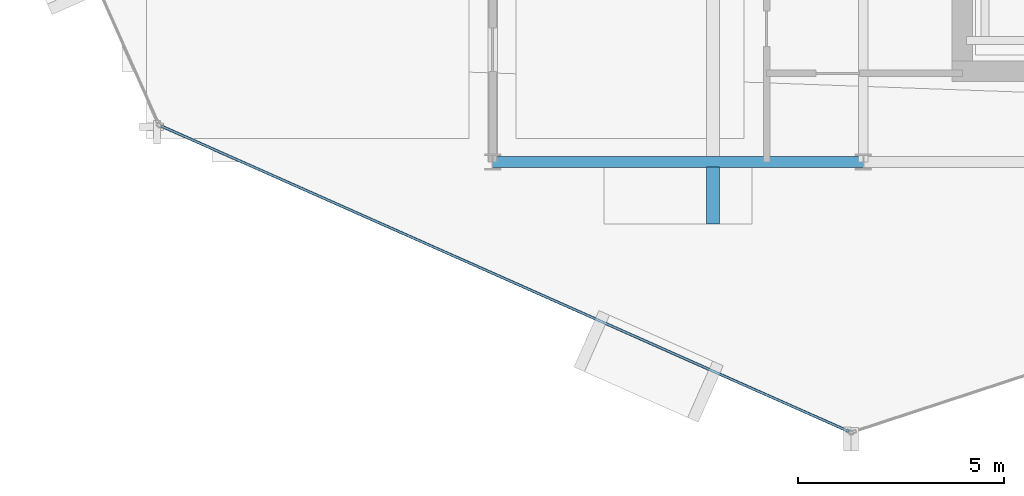
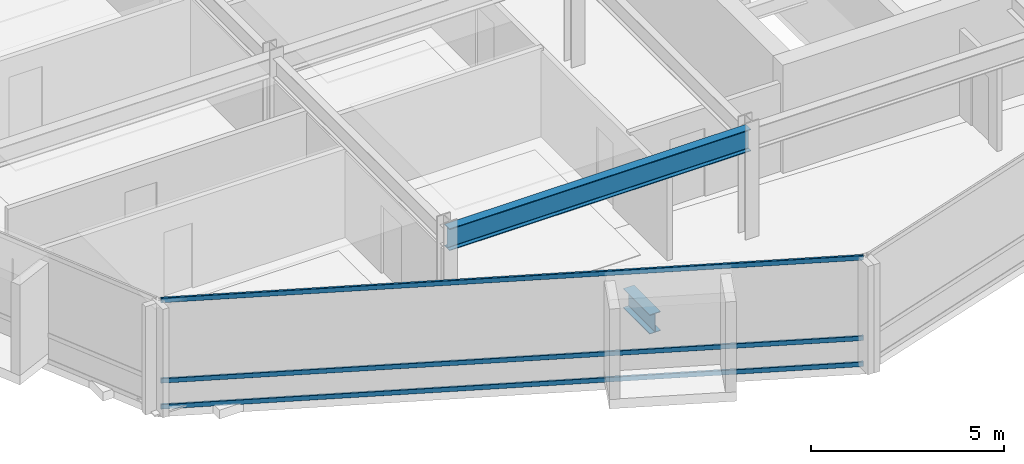
# One storey, part 3 of 28: 3 members, 2 beams, 1 element without a shape of its own.
"""IFC4 building model written with IfcOpenShell, lengths in metres."""

from ifc_helpers import new_model, si_unit, direction, frame, origin, origin_2d, place, context, subcontext, project, spatial, hollow_rectangle, i_section, extrude, material, layer, layer_set, material_profile, profile_set, type_object, element, aggregate, save


model = new_model("IFC4")

# Units and contexts
model_context = context("Model", 3, precision=1e-05, world=origin(), true_north=direction((0.0, 1.0)))
body_context = subcontext(model_context, "Body", "Model", "MODEL_VIEW")
ifc_project = project(units=[si_unit("LENGTHUNIT", "METRE"), si_unit("AREAUNIT", "SQUARE_METRE"), si_unit("VOLUMEUNIT", "CUBIC_METRE"), si_unit("PLANEANGLEUNIT", "RADIAN"), si_unit("MASSUNIT", "GRAM", prefix="KILO")], contexts=[model_context])

# Site, building, storey
site_placement = place(None, origin())
site = spatial("IfcSite", under=ifc_project, at=site_placement, CompositionType="ELEMENT")
building_placement = place(site_placement, origin())
building = spatial("IfcBuilding", under=site, at=building_placement, Name="Solvaryn Broadcast Tower", CompositionType="ELEMENT")
storey_placement = place(building_placement, frame((0.0, 0.0, 217.300048828125)))
storey = spatial("IfcBuildingStorey", under=building, at=storey_placement, Name="L54", CompositionType="ELEMENT", Elevation=217.300048828125)

# Beams
ifc_material_1 = material(Name="Steel ASTM A992 Grade 50", Category="steel")
ifc_material_profile_1 = material_profile(ifc_material_1, i_section(OverallWidth=0.323974609375, OverallDepth=0.611083984375, WebThickness=0.0126953125, FlangeThickness=0.01904296875, FilletRadius=0.014892578125, at=origin_2d()))
ifc_profile_set_1 = profile_set([ifc_material_profile_1], Name="Steel ASTM A992 Grade 50")
beam_type_1 = type_object("IfcBeamType", Name="BM-CANT-TER", PredefinedType="BEAM", material=ifc_profile_set_1)
beam_1_placement = place(storey_placement, frame((23.35009765625, 8.875, -0.58544921875), z_axis=(0.0, -1.0, 0.0), x_axis=(1.0, 0.0, 0.0)))
element("IfcBeam", 1, at=beam_1_placement, inside=storey, type_object=beam_type_1, Name="L54 Bay-Box Cantilever Bracket 1", PredefinedType="BEAM", context=body_context, shape_type="SweptSolid", body=[
    extrude(i_section(OverallWidth=0.323974609375, OverallDepth=0.611083984375, WebThickness=0.0126953125, FlangeThickness=0.01904296875, FilletRadius=0.014892578125, at=origin_2d()), origin(), (0.0, 0.0, 1.0), 1.375),
])
ifc_material_2 = material(Name="Steel ASTM A992 Grade 50", Category="steel")
ifc_material_profile_2 = material_profile(ifc_material_2, i_section(OverallWidth=0.256103515625, OverallDepth=0.693115234375, WebThickness=0.014404296875, FlangeThickness=0.023681640625, FilletRadius=0.01611328125, at=origin_2d()))
ifc_profile_set_2 = profile_set([ifc_material_profile_2], Name="Steel ASTM A992 Grade 50")
beam_type_2 = type_object("IfcBeamType", Name="BM-SP3-W27X114", PredefinedType="USERDEFINED", material=ifc_profile_set_2)
beam_2_placement = place(storey_placement, frame((18.0, 9.0, 3.073486328125), z_axis=(1.0, 0.0, 0.0), x_axis=(0.0, 1.0, 0.0)))
element("IfcBeam", 2, at=beam_2_placement, inside=storey, type_object=beam_type_2, Name="L54 Spandrel Beam X (18-27 @ Y=9)", ObjectType="SPANDREL", PredefinedType="USERDEFINED", context=body_context, shape_type="SweptSolid", body=[
    extrude(i_section(OverallWidth=0.256103515625, OverallDepth=0.693115234375, WebThickness=0.014404296875, FlangeThickness=0.023681640625, FilletRadius=0.01611328125, at=origin_2d()), origin(), (0.0, 0.0, 1.0), 9.0),
])

# Curtain wall, members
ifc_material_3 = material(Name="Aluminium and Terracotta Unitised Curtain Wall", Category="masonry")
ifc_layer = layer(ifc_material_3, 0.199951171875)
ifc_layer_set = layer_set([ifc_layer], Name="CW-SYS2-LOWMID")
curtain_wall_type = type_object("IfcCurtainWallType", Name="CW-SYS2-LOWMID", PredefinedType="NOTDEFINED", material=ifc_layer_set)
curtain_wall_placement = place(storey_placement, origin())
curtain_wall = element("IfcCurtainWall", 3, at=curtain_wall_placement, inside=storey, type_object=curtain_wall_type, Name="L54 Curtain Wall DR3", PredefinedType="NOTDEFINED")
ifc_material_4 = material(Name="Anodised Aluminium 6063-T6", Category="aluminium")
ifc_material_profile_3 = material_profile(ifc_material_4, hollow_rectangle(XDim=0.06494140625, YDim=0.14990234375, WallThickness=0.00390625, InnerFilletRadius=0.00390625, OuterFilletRadius=0.008056640625, at=origin_2d()))
ifc_profile_set_3 = profile_set([ifc_material_profile_3], Name="Anodised Aluminium 6063-T6")
member_type = type_object("IfcMemberType", Name="CW-TRN-150", PredefinedType="USERDEFINED", material=ifc_profile_set_3)
member_1_placement = place(storey_placement, frame((9.952880859375, 9.87353515625, 0.030029296875), z_axis=(0.913916761992, -0.405901653299, 0.0), x_axis=(0.405901653299, 0.913916761992, 0.0)))
member_1 = element("IfcMember", 4, at=member_1_placement, type_object=member_type, Name="CWS2 transom 1.1", ObjectType="TRANSOM", PredefinedType="USERDEFINED", context=body_context, shape_type="SweptSolid", body=[
    extrude(hollow_rectangle(XDim=0.06494140625, YDim=0.14990234375, WallThickness=0.00390625, InnerFilletRadius=0.00390625, OuterFilletRadius=0.008056640625, at=origin_2d()), origin(), (0.0, 0.0, 1.0), 18.27099609375),
])
member_2_placement = place(storey_placement, frame((9.952880859375, 9.87353515625, 0.849853515625), z_axis=(0.913916761992, -0.405901653299, 0.0), x_axis=(0.405901653299, 0.913916761992, 0.0)))
member_2 = element("IfcMember", 5, at=member_2_placement, type_object=member_type, Name="CWS2 transom 1.2", ObjectType="TRANSOM", PredefinedType="USERDEFINED", context=body_context, shape_type="SweptSolid", body=[
    extrude(hollow_rectangle(XDim=0.06494140625, YDim=0.14990234375, WallThickness=0.00390625, InnerFilletRadius=0.00390625, OuterFilletRadius=0.008056640625, at=origin_2d()), origin(), (0.0, 0.0, 1.0), 18.27099609375),
])
member_3_placement = place(storey_placement, frame((9.952880859375, 9.87353515625, 3.389892578125), z_axis=(0.913916761992, -0.405901653299, 0.0), x_axis=(0.405901653299, 0.913916761992, 0.0)))
member_3 = element("IfcMember", 6, at=member_3_placement, type_object=member_type, Name="CWS2 transom 1.3", ObjectType="TRANSOM", PredefinedType="USERDEFINED", context=body_context, shape_type="SweptSolid", body=[
    extrude(hollow_rectangle(XDim=0.06494140625, YDim=0.14990234375, WallThickness=0.00390625, InnerFilletRadius=0.00390625, OuterFilletRadius=0.008056640625, at=origin_2d()), origin(), (0.0, 0.0, 1.0), 18.27099609375),
])
aggregate(curtain_wall, [member_1, member_2, member_3])

save(model, "model.ifc")
